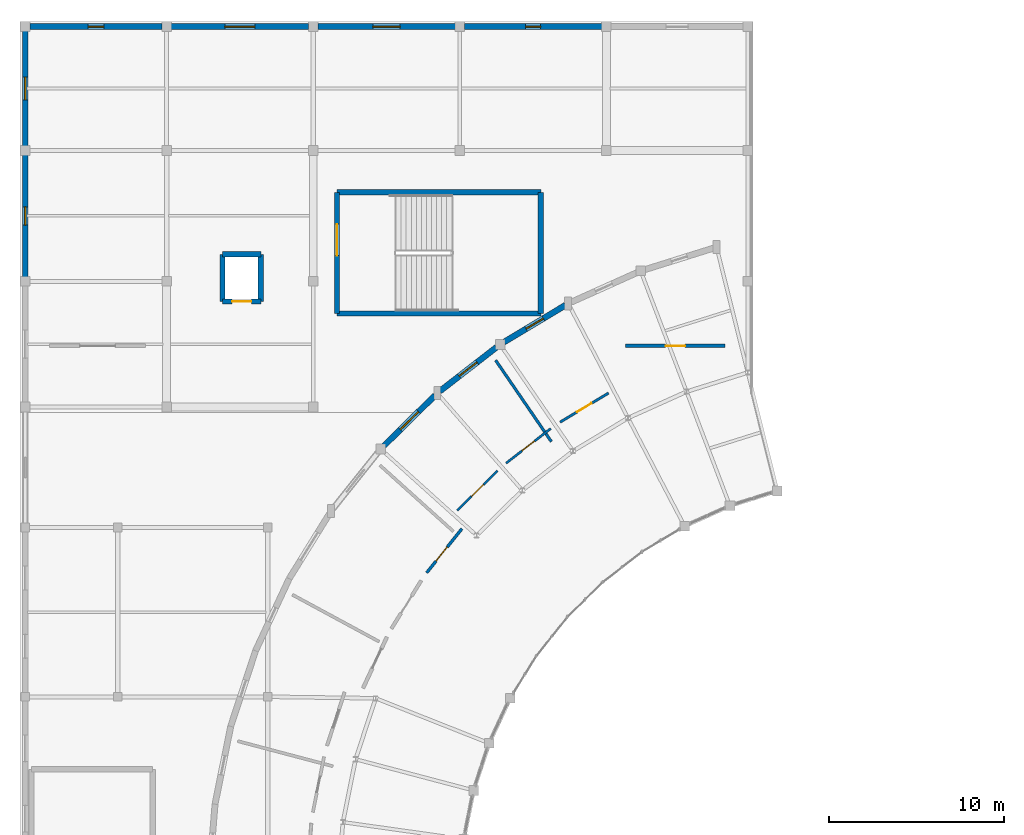
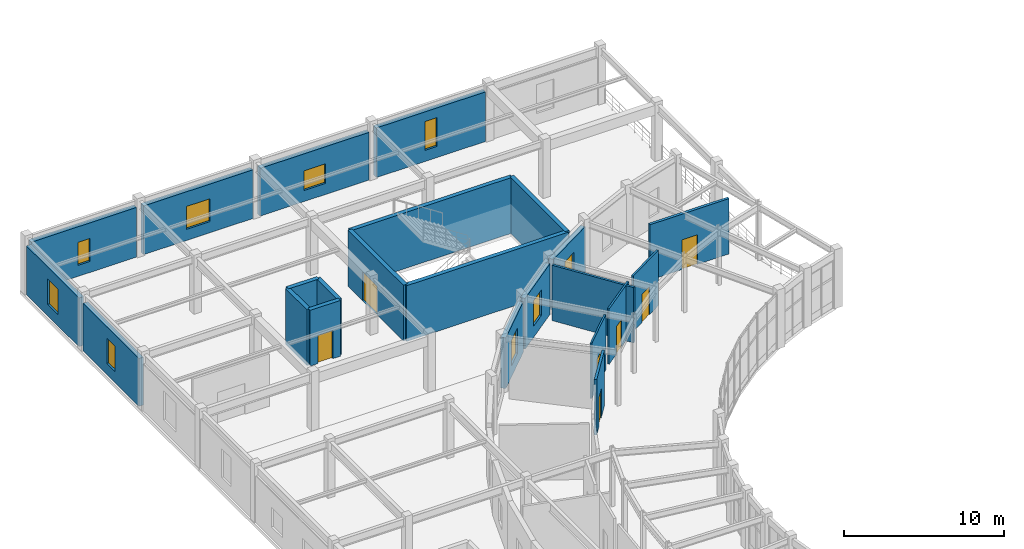
# One storey, part 87 of 112: 23 walls, 9 windows, 7 doors, 16 openings.
"""IFC4 building model written with IfcOpenShell, lengths in metres."""

from ifc_helpers import new_model, si_unit, direction, frame, frame_2d, origin, place, context, subcontext, project, spatial, rectangle, extrude, material, layer, layer_set, type_object, element, fill, save


model = new_model("IFC4")

# Units and contexts
model_context = context("Model", 3, precision=1e-05, world=origin(), true_north=direction((0.0, 1.0)))
body_context = subcontext(model_context, "Body", "Model", "MODEL_VIEW")
ifc_project = project(units=[si_unit("LENGTHUNIT", "METRE"), si_unit("AREAUNIT", "SQUARE_METRE"), si_unit("VOLUMEUNIT", "CUBIC_METRE"), si_unit("PLANEANGLEUNIT", "RADIAN"), si_unit("MASSUNIT", "GRAM", prefix="KILO")], contexts=[model_context])

# Site, building, storey
site_placement = place(None, origin())
site = spatial("IfcSite", under=ifc_project, at=site_placement, CompositionType="ELEMENT")
building_placement = place(site_placement, origin())
building = spatial("IfcBuilding", under=site, at=building_placement, Name="Cinderbank Siding Concert Hall", CompositionType="ELEMENT")
storey_placement = place(building_placement, frame((0.0, 0.0, 10.199951171875)))
storey = spatial("IfcBuildingStorey", under=building, at=storey_placement, Name="L03", CompositionType="ELEMENT", Elevation=10.199951171875)

# Wall, opening, door
ifc_material_1 = material(Name="Reinforced concrete AS 3600 N50 (50 MPa)", Category="concrete")
ifc_layer_1 = layer(ifc_material_1, 0.300048828125)
ifc_layer_set_1 = layer_set([ifc_layer_1], Name="Reinforced concrete AS 3600 N50 (50 MPa)")
wall_type_1 = type_object("IfcWallType", Name="WL-03 Structural Wall 300mm", PredefinedType="SHEAR", material=ifc_layer_set_1)
wall_1_placement = place(storey_placement, frame((24.9599609375, 101.4599609375, 0.0), z_axis=(0.0, 0.0, 1.0), x_axis=(0.0, 1.0, 0.0)))
wall_1 = element("IfcWall", 1, at=wall_1_placement, inside=storey, type_object=wall_type_1, Name="L03 ST-05 Core Wall ENTRY", PredefinedType="SHEAR", context=body_context, shape_type="SweptSolid", body=[
    extrude(rectangle(XDim=6.93994140625, YDim=0.300048828125, at=frame_2d((3.469970703125, 0.0))), origin(), (0.0, 0.0, 1.0), 4.260009765625),
])
opening_1_placement = place(wall_1_placement, frame((3.320068359375, 0.0, 0.0)))
opening_1 = element("IfcOpeningElement", 2, at=opening_1_placement, cuts=wall_1, Name="Opening D-05", PredefinedType="OPENING", context=body_context, shape_type="SweptSolid", body=[
    extrude(rectangle(XDim=1.800048828125, YDim=2.199951171875, at=frame_2d((0.89990234375, 1.10009765625))), frame((0.0, 0.162109375, 0.0), z_axis=(0.0, -1.0, 0.0), x_axis=(1.0, 0.0, 0.0)), (0.0, 0.0, 1.0), 0.323974609375),
])
ifc_material_2 = material(Name="Galvanised sheet steel acoustic fire door assembly", Category="steel")
door_type_1 = type_object("IfcDoorType", Name="D-05 Interior Door 1800x2200", OperationType="DOUBLE_DOOR_SINGLE_SWING", PredefinedType="DOOR", material=ifc_material_2)
door_1_placement = place(opening_1_placement, origin())
door_1 = element("IfcDoor", 3, at=door_1_placement, inside=storey, type_object=door_type_1, Name="L03 ST-05 Fire Stair Door L03-D032", OperationType="DOUBLE_DOOR_SINGLE_SWING", OverallHeight=2.199951171875, OverallWidth=1.800048828125, PredefinedType="DOOR", context=body_context, shape_type="SweptSolid", body=[
    extrude(rectangle(XDim=1.800048828125, YDim=2.199951171875, at=frame_2d((0.89990234375, 1.10009765625))), frame((0.0, 0.02490234375, 0.0), z_axis=(0.0, -1.0, 0.0), x_axis=(1.0, 0.0, 0.0)), (0.0, 0.0, 1.0), 0.050048828125),
])
fill(opening_1, door_1)

# Walls
wall_2_placement = place(storey_placement, frame((36.639892578125, 108.39990234375, 0.0), z_axis=(0.0, 0.0, 1.0), x_axis=(0.0, -1.0, 0.0)))
element("IfcWall", 4, at=wall_2_placement, inside=storey, type_object=wall_type_1, Name="L03 ST-05 Core Wall FAR", PredefinedType="SHEAR", context=body_context, shape_type="SweptSolid", body=[
    extrude(rectangle(XDim=6.93994140625, YDim=0.300048828125, at=frame_2d((3.469970703125, 0.0))), origin(), (0.0, 0.0, 1.0), 4.260009765625),
])
for number, where, z_axis, x_axis, name in (
    (5, (36.639892578125, 101.4599609375, 0.0), (0.0, 0.0, 1.0), (-1.0, 0.0, 0.0), "L03 ST-05 Core Wall SIDE1"),
    (6, (24.9599609375, 108.39990234375, 0.0), (0.0, 0.0, 1.0), (1.0, 0.0, 0.0), "L03 ST-05 Core Wall SIDE2"),
):
    element("IfcWall", number, at=place(storey_placement, frame(where, z_axis=z_axis, x_axis=x_axis)), inside=storey, type_object=wall_type_1, Name=name, PredefinedType="SHEAR", context=body_context, shape_type="SweptSolid", body=[
        extrude(rectangle(XDim=11.679931640625, YDim=0.300048828125, at=frame_2d((5.83984375, 0.0))), origin(), (0.0, 0.0, 1.0), 4.260009765625),
    ])

# Wall, opening, door
wall_3_placement = place(storey_placement, frame((20.60009765625, 102.14990234375, 0.0), z_axis=(0.0, 0.0, 1.0), x_axis=(-1.0, 0.0, 0.0)))
wall_3 = element("IfcWall", 7, at=wall_3_placement, inside=storey, type_object=wall_type_1, Name="L03 LF-06 Shaft Wall -Y", PredefinedType="SHEAR", context=body_context, shape_type="SweptSolid", body=[
    extrude(rectangle(XDim=2.2001953125, YDim=0.300048828125, at=frame_2d((1.10009765625, 0.0))), origin(), (0.0, 0.0, 1.0), 4.260009765625),
])
opening_2_placement = place(wall_3_placement, frame((0.550048828125, 0.0, 0.0)))
opening_2 = element("IfcOpeningElement", 8, at=opening_2_placement, cuts=wall_3, Name="Opening LD-01", PredefinedType="OPENING", context=body_context, shape_type="SweptSolid", body=[
    extrude(rectangle(XDim=1.10009765625, YDim=2.14990234375, at=frame_2d((0.550048828125, 1.074951171875))), frame((0.0, 0.162109375, 0.0), z_axis=(0.0, -1.0, 0.0), x_axis=(1.0, 0.0, 0.0)), (0.0, 0.0, 1.0), 0.323974609375),
])
door_type_2 = type_object("IfcDoorType", Name="LD-01 Interior Door 1100x2150", OperationType="DOUBLE_DOOR_SLIDING", PredefinedType="DOOR", material=ifc_material_2)
door_2_placement = place(opening_2_placement, origin())
door_2 = element("IfcDoor", 9, at=door_2_placement, inside=storey, type_object=door_type_2, Name="L03 LF-06 Sliding Landing Door", OperationType="DOUBLE_DOOR_SLIDING", OverallHeight=2.14990234375, OverallWidth=1.10009765625, PredefinedType="DOOR", context=body_context, shape_type="SweptSolid", body=[
    extrude(rectangle(XDim=1.10009765625, YDim=2.14990234375, at=frame_2d((0.550048828125, 1.074951171875))), frame((0.0, 0.02490234375, 0.0), z_axis=(0.0, -1.0, 0.0), x_axis=(1.0, 0.0, 0.0)), (0.0, 0.0, 1.0), 0.050048828125),
])
fill(opening_2, door_2)

# Walls
wall_4_placement = place(storey_placement, frame((20.60009765625, 104.85009765625, 0.0), z_axis=(0.0, 0.0, 1.0), x_axis=(0.0, -1.0, 0.0)))
element("IfcWall", 10, at=wall_4_placement, inside=storey, type_object=wall_type_1, Name="L03 LF-06 Shaft Wall +X", PredefinedType="SHEAR", context=body_context, shape_type="SweptSolid", body=[
    extrude(rectangle(XDim=2.7001953125, YDim=0.300048828125, at=frame_2d((1.35009765625, 0.0))), origin(), (0.0, 0.0, 1.0), 4.260009765625),
])
wall_5_placement = place(storey_placement, frame((18.39990234375, 104.85009765625, 0.0), z_axis=(0.0, 0.0, 1.0), x_axis=(1.0, 0.0, 0.0)))
element("IfcWall", 11, at=wall_5_placement, inside=storey, type_object=wall_type_1, Name="L03 LF-06 Shaft Wall +Y", PredefinedType="SHEAR", context=body_context, shape_type="SweptSolid", body=[
    extrude(rectangle(XDim=2.2001953125, YDim=0.300048828125, at=frame_2d((1.10009765625, 0.0))), origin(), (0.0, 0.0, 1.0), 4.260009765625),
])
wall_6_placement = place(storey_placement, frame((18.39990234375, 102.14990234375, 0.0), z_axis=(0.0, 0.0, 1.0), x_axis=(0.0, 1.0, 0.0)))
element("IfcWall", 12, at=wall_6_placement, inside=storey, type_object=wall_type_1, Name="L03 LF-06 Shaft Wall -X", PredefinedType="SHEAR", context=body_context, shape_type="SweptSolid", body=[
    extrude(rectangle(XDim=2.7001953125, YDim=0.300048828125, at=frame_2d((1.35009765625, 0.0))), origin(), (0.0, 0.0, 1.0), 4.260009765625),
])

# Wall, opening, window
ifc_material_3 = material(Name="Clinker clay brickwork masonry AS 3700 (20 MPa)", Category="masonry")
ifc_layer_2 = layer(ifc_material_3, 0.340087890625)
ifc_layer_set_2 = layer_set([ifc_layer_2], Name="Clinker clay brickwork masonry AS 3700 (20 MPa)")
wall_type_2 = type_object("IfcWallType", Name="WL-07 Exterior Wall 340mm", PredefinedType="STANDARD", material=ifc_layer_set_2)
wall_7_placement = place(storey_placement, frame((34.5283203125, 99.818359375, 0.0), z_axis=(0.0, 0.0, 1.0), x_axis=(0.85717299245, 0.515028602131, 0.0)))
wall_7 = element("IfcWall", 13, at=wall_7_placement, inside=storey, type_object=wall_type_2, Name="L03 Facade Wall EW-WOUT-L03-03", PredefinedType="STANDARD", context=body_context, shape_type="SweptSolid", body=[
    extrude(rectangle(XDim=4.109375, YDim=0.340087890625, at=frame_2d((2.0546875, 0.0))), origin(), (0.0, 0.0, 1.0), 3.876953125),
])
opening_3_placement = place(wall_7_placement, frame((1.479736328125, 0.0, 0.85009765625)))
opening_3 = element("IfcOpeningElement", 14, at=opening_3_placement, cuts=wall_7, Name="Opening WN-12", PredefinedType="OPENING", context=body_context, shape_type="SweptSolid", body=[
    extrude(rectangle(XDim=1.14990234375, YDim=1.949951171875, at=frame_2d((0.574951171875, 0.97509765625))), frame((0.0, 0.18212890625, 0.0), z_axis=(0.0, -1.0, 0.0), x_axis=(1.0, 0.0, 0.0)), (0.0, 0.0, 1.0), 0.364013671875),
])
ifc_material_4 = material(Name="Double-glazed laminated acoustic glass", Category="glass")
window_type_1 = type_object("IfcWindowType", Name="WN-12 Acoustic Casement Window 1150x1950", PartitioningType="DOUBLE_PANEL_VERTICAL", PredefinedType="WINDOW", material=ifc_material_4)
window_1_placement = place(opening_3_placement, origin())
window_1 = element("IfcWindow", 15, at=window_1_placement, inside=storey, type_object=window_type_1, Name="L03 Facade Window #28", OverallHeight=1.949951171875, OverallWidth=1.14990234375, PartitioningType="DOUBLE_PANEL_VERTICAL", PredefinedType="WINDOW", context=body_context, shape_type="SweptSolid", body=[
    extrude(rectangle(XDim=1.14990234375, YDim=1.949951171875, at=frame_2d((0.574951171875, 0.97509765625))), frame((0.0, 0.030029296875, 0.0), z_axis=(0.0, -1.0, 0.0), x_axis=(1.0, 0.0, 0.0)), (0.0, 0.0, 1.0), 0.06005859375),
])
fill(opening_3, window_1)

wall_8_placement = place(storey_placement, frame((34.099853515625, 99.52490234375, 0.0), z_axis=(0.0, 0.0, 1.0), x_axis=(-0.790164022378, -0.612895437852, 0.0)))
wall_8 = element("IfcWall", 16, at=wall_8_placement, inside=storey, type_object=wall_type_2, Name="L03 Facade Wall EW-WOUT-L03-04", PredefinedType="STANDARD", context=body_context, shape_type="SweptSolid", body=[
    extrude(rectangle(XDim=4.109619140625, YDim=0.340087890625, at=frame_2d((2.0546875, 0.0))), origin(), (0.0, 0.0, 1.0), 3.876953125),
])
opening_4_placement = place(wall_8_placement, frame((1.40478515625, 0.0, 0.85009765625)))
opening_4 = element("IfcOpeningElement", 17, at=opening_4_placement, cuts=wall_8, Name="Opening WN-13", PredefinedType="OPENING", context=body_context, shape_type="SweptSolid", body=[
    extrude(rectangle(XDim=1.300048828125, YDim=1.949951171875, at=frame_2d((0.64990234375, 0.97509765625))), frame((0.0, 0.18212890625, 0.0), z_axis=(0.0, -1.0, 0.0), x_axis=(1.0, 0.0, 0.0)), (0.0, 0.0, 1.0), 0.364013671875),
])
window_type_2 = type_object("IfcWindowType", Name="WN-13 Acoustic Casement Window 1300x1950", PartitioningType="DOUBLE_PANEL_VERTICAL", PredefinedType="WINDOW", material=ifc_material_4)
window_2_placement = place(opening_4_placement, origin())
window_2 = element("IfcWindow", 18, at=window_2_placement, inside=storey, type_object=window_type_2, Name="L03 Facade Window #29", OverallHeight=1.949951171875, OverallWidth=1.300048828125, PartitioningType="DOUBLE_PANEL_VERTICAL", PredefinedType="WINDOW", context=body_context, shape_type="SweptSolid", body=[
    extrude(rectangle(XDim=1.300048828125, YDim=1.949951171875, at=frame_2d((0.64990234375, 0.97509765625))), frame((0.0, 0.030029296875, 0.0), z_axis=(0.0, -1.0, 0.0), x_axis=(1.0, 0.0, 0.0)), (0.0, 0.0, 1.0), 0.06005859375),
])
fill(opening_4, window_2)

wall_9_placement = place(storey_placement, frame((30.57470703125, 96.7626953125, 0.0), z_axis=(0.0, 0.0, 1.0), x_axis=(-0.712079133949, -0.702099214495, 0.0)))
wall_9 = element("IfcWall", 19, at=wall_9_placement, inside=storey, type_object=wall_type_2, Name="L03 Facade Wall EW-WOUT-L03-05", PredefinedType="STANDARD", context=body_context, shape_type="SweptSolid", body=[
    extrude(rectangle(XDim=4.10986328125, YDim=0.340087890625, at=frame_2d((2.054931640625, 0.0))), origin(), (0.0, 0.0, 1.0), 3.876953125),
])
opening_5_placement = place(wall_9_placement, frame((1.329833984375, 0.0, 0.85009765625)))
opening_5 = element("IfcOpeningElement", 20, at=opening_5_placement, cuts=wall_9, Name="Opening WN-14", PredefinedType="OPENING", context=body_context, shape_type="SweptSolid", body=[
    extrude(rectangle(XDim=1.449951171875, YDim=1.949951171875, at=frame_2d((0.72509765625, 0.97509765625))), frame((0.0, 0.18212890625, 0.0), z_axis=(0.0, -1.0, 0.0), x_axis=(1.0, 0.0, 0.0)), (0.0, 0.0, 1.0), 0.364013671875),
])
window_type_3 = type_object("IfcWindowType", Name="WN-14 Acoustic Casement Window 1450x1950", PartitioningType="DOUBLE_PANEL_VERTICAL", PredefinedType="WINDOW", material=ifc_material_4)
window_3_placement = place(opening_5_placement, origin())
window_3 = element("IfcWindow", 21, at=window_3_placement, inside=storey, type_object=window_type_3, Name="L03 Facade Window #30", OverallHeight=1.949951171875, OverallWidth=1.449951171875, PartitioningType="DOUBLE_PANEL_VERTICAL", PredefinedType="WINDOW", context=body_context, shape_type="SweptSolid", body=[
    extrude(rectangle(XDim=1.449951171875, YDim=1.949951171875, at=frame_2d((0.72509765625, 0.97509765625))), frame((0.0, 0.030029296875, 0.0), z_axis=(0.0, -1.0, 0.0), x_axis=(1.0, 0.0, 0.0)), (0.0, 0.0, 1.0), 0.06005859375),
])
fill(opening_5, window_3)

wall_10_placement = place(storey_placement, frame((7.10009765625, 103.56005859375, 0.0), z_axis=(0.0, 0.0, 1.0), x_axis=(0.0, 1.0, 0.0)))
wall_10 = element("IfcWall", 22, at=wall_10_placement, inside=storey, type_object=wall_type_2, Name="L03 Facade Wall EW-NW-W2-L03", PredefinedType="STANDARD", context=body_context, shape_type="SweptSolid", body=[
    extrude(rectangle(XDim=6.97998046875, YDim=0.340087890625, at=frame_2d((3.489990234375, 0.0))), origin(), (0.0, 0.0, 1.0), 3.644775390625),
])
opening_6_placement = place(wall_10_placement, frame((2.965087890625, 0.0, 0.85009765625)))
opening_6 = element("IfcOpeningElement", 23, at=opening_6_placement, cuts=wall_10, Name="Opening WN-11", PredefinedType="OPENING", context=body_context, shape_type="SweptSolid", body=[
    extrude(rectangle(XDim=1.050048828125, YDim=1.949951171875, at=frame_2d((0.52490234375, 0.97509765625))), frame((0.0, 0.18212890625, 0.0), z_axis=(0.0, -1.0, 0.0), x_axis=(1.0, 0.0, 0.0)), (0.0, 0.0, 1.0), 0.364013671875),
])
window_type_4 = type_object("IfcWindowType", Name="WN-11 Acoustic Casement Window 1050x1950", PartitioningType="DOUBLE_PANEL_VERTICAL", PredefinedType="WINDOW", material=ifc_material_4)
window_4_placement = place(opening_6_placement, origin())
window_4 = element("IfcWindow", 24, at=window_4_placement, inside=storey, type_object=window_type_4, Name="L03 Facade Window #119", OverallHeight=1.949951171875, OverallWidth=1.050048828125, PartitioningType="DOUBLE_PANEL_VERTICAL", PredefinedType="WINDOW", context=body_context, shape_type="SweptSolid", body=[
    extrude(rectangle(XDim=1.050048828125, YDim=1.949951171875, at=frame_2d((0.52490234375, 0.97509765625))), frame((0.0, 0.030029296875, 0.0), z_axis=(0.0, -1.0, 0.0), x_axis=(1.0, 0.0, 0.0)), (0.0, 0.0, 1.0), 0.06005859375),
])
fill(opening_6, window_4)

wall_11_placement = place(storey_placement, frame((7.10009765625, 111.06005859375, 0.0), z_axis=(0.0, 0.0, 1.0), x_axis=(0.0, 1.0, 0.0)))
wall_11 = element("IfcWall", 25, at=wall_11_placement, inside=storey, type_object=wall_type_2, Name="L03 Facade Wall EW-NW-W3-L03", PredefinedType="STANDARD", context=body_context, shape_type="SweptSolid", body=[
    extrude(rectangle(XDim=6.579833984375, YDim=0.340087890625, at=frame_2d((3.2900390625, 0.0))), origin(), (0.0, 0.0, 1.0), 3.71875),
])
opening_7_placement = place(wall_11_placement, frame((2.639892578125, 0.0, 0.85009765625)))
opening_7 = element("IfcOpeningElement", 26, at=opening_7_placement, cuts=wall_11, Name="Opening WN-13", PredefinedType="OPENING", context=body_context, shape_type="SweptSolid", body=[
    extrude(rectangle(XDim=1.300048828125, YDim=1.949951171875, at=frame_2d((0.64990234375, 0.97509765625))), frame((0.0, 0.18212890625, 0.0), z_axis=(0.0, -1.0, 0.0), x_axis=(1.0, 0.0, 0.0)), (0.0, 0.0, 1.0), 0.364013671875),
])
window_5_placement = place(opening_7_placement, origin())
window_5 = element("IfcWindow", 27, at=window_5_placement, inside=storey, type_object=window_type_2, Name="L03 Facade Window #121", OverallHeight=1.949951171875, OverallWidth=1.300048828125, PartitioningType="DOUBLE_PANEL_VERTICAL", PredefinedType="WINDOW", context=body_context, shape_type="SweptSolid", body=[
    extrude(rectangle(XDim=1.300048828125, YDim=1.949951171875, at=frame_2d((0.64990234375, 0.97509765625))), frame((0.0, 0.030029296875, 0.0), z_axis=(0.0, -1.0, 0.0), x_axis=(1.0, 0.0, 0.0)), (0.0, 0.0, 1.0), 0.06005859375),
])
fill(opening_7, window_5)

wall_12_placement = place(storey_placement, frame((7.360107421875, 117.89990234375, 0.0), z_axis=(0.0, 0.0, 1.0), x_axis=(1.0, 0.0, 0.0)))
wall_12 = element("IfcWall", 28, at=wall_12_placement, inside=storey, type_object=wall_type_2, Name="L03 Facade Wall EW-NW-N0-L03", PredefinedType="STANDARD", context=body_context, shape_type="SweptSolid", body=[
    extrude(rectangle(XDim=7.579833984375, YDim=0.340087890625, at=frame_2d((3.7900390625, 0.0))), origin(), (0.0, 0.0, 1.0), 3.78955078125),
])
opening_8_placement = place(wall_12_placement, frame((3.340087890625, 0.0, 0.85009765625)))
opening_8 = element("IfcOpeningElement", 29, at=opening_8_placement, cuts=wall_12, Name="Opening WN-17", PredefinedType="OPENING", context=body_context, shape_type="SweptSolid", body=[
    extrude(rectangle(XDim=0.89990234375, YDim=1.75, at=frame_2d((0.449951171875, 0.875))), frame((0.0, 0.18212890625, 0.0), z_axis=(0.0, -1.0, 0.0), x_axis=(1.0, 0.0, 0.0)), (0.0, 0.0, 1.0), 0.364013671875),
])
window_type_5 = type_object("IfcWindowType", Name="WN-17 Acoustic Casement Window 900x1750", PartitioningType="DOUBLE_PANEL_VERTICAL", PredefinedType="WINDOW", material=ifc_material_4)
window_6_placement = place(opening_8_placement, origin())
window_6 = element("IfcWindow", 30, at=window_6_placement, inside=storey, type_object=window_type_5, Name="L03 Facade Window #125", OverallHeight=1.75, OverallWidth=0.89990234375, PartitioningType="DOUBLE_PANEL_VERTICAL", PredefinedType="WINDOW", context=body_context, shape_type="SweptSolid", body=[
    extrude(rectangle(XDim=0.89990234375, YDim=1.75, at=frame_2d((0.449951171875, 0.875))), frame((0.0, 0.030029296875, 0.0), z_axis=(0.0, -1.0, 0.0), x_axis=(1.0, 0.0, 0.0)), (0.0, 0.0, 1.0), 0.06005859375),
])
fill(opening_8, window_6)

wall_13_placement = place(storey_placement, frame((15.4599609375, 117.89990234375, 0.0), z_axis=(0.0, 0.0, 1.0), x_axis=(1.0, 0.0, 0.0)))
wall_13 = element("IfcWall", 31, at=wall_13_placement, inside=storey, type_object=wall_type_2, Name="L03 Facade Wall EW-NW-N1-L03", PredefinedType="STANDARD", context=body_context, shape_type="SweptSolid", body=[
    extrude(rectangle(XDim=7.880126953125, YDim=0.340087890625, at=frame_2d((3.93994140625, 0.0))), origin(), (0.0, 0.0, 1.0), 3.71875),
])
opening_9_placement = place(wall_13_placement, frame((3.080078125, 0.0, 0.85009765625)))
opening_9 = element("IfcOpeningElement", 32, at=opening_9_placement, cuts=wall_13, Name="Opening WN-23", PredefinedType="OPENING", context=body_context, shape_type="SweptSolid", body=[
    extrude(rectangle(XDim=1.719970703125, YDim=1.75, at=frame_2d((0.85986328125, 0.875))), frame((0.0, 0.18212890625, 0.0), z_axis=(0.0, -1.0, 0.0), x_axis=(1.0, 0.0, 0.0)), (0.0, 0.0, 1.0), 0.364013671875),
])
window_type_6 = type_object("IfcWindowType", Name="WN-23 Acoustic Casement Window 1720x1750", PartitioningType="DOUBLE_PANEL_VERTICAL", PredefinedType="WINDOW", material=ifc_material_4)
window_7_placement = place(opening_9_placement, origin())
window_7 = element("IfcWindow", 33, at=window_7_placement, inside=storey, type_object=window_type_6, Name="L03 Facade Window #131", OverallHeight=1.75, OverallWidth=1.719970703125, PartitioningType="DOUBLE_PANEL_VERTICAL", PredefinedType="WINDOW", context=body_context, shape_type="SweptSolid", body=[
    extrude(rectangle(XDim=1.719970703125, YDim=1.75, at=frame_2d((0.85986328125, 0.875))), frame((0.0, 0.030029296875, 0.0), z_axis=(0.0, -1.0, 0.0), x_axis=(1.0, 0.0, 0.0)), (0.0, 0.0, 1.0), 0.06005859375),
])
fill(opening_9, window_7)

wall_14_placement = place(storey_placement, frame((23.860107421875, 117.89990234375, 0.0), z_axis=(0.0, 0.0, 1.0), x_axis=(1.0, 0.0, 0.0)))
wall_14 = element("IfcWall", 34, at=wall_14_placement, inside=storey, type_object=wall_type_2, Name="L03 Facade Wall EW-NW-N1B-L03", PredefinedType="STANDARD", context=body_context, shape_type="SweptSolid", body=[
    extrude(rectangle(XDim=7.8798828125, YDim=0.340087890625, at=frame_2d((3.93994140625, 0.0))), origin(), (0.0, 0.0, 1.0), 3.644775390625),
])
opening_10_placement = place(wall_14_placement, frame((3.1650390625, 0.0, 0.85009765625)))
opening_10 = element("IfcOpeningElement", 35, at=opening_10_placement, cuts=wall_14, Name="Opening WN-29", PredefinedType="OPENING", context=body_context, shape_type="SweptSolid", body=[
    extrude(rectangle(XDim=1.550048828125, YDim=1.5, at=frame_2d((0.77490234375, 0.75))), frame((0.0, 0.18212890625, 0.0), z_axis=(0.0, -1.0, 0.0), x_axis=(1.0, 0.0, 0.0)), (0.0, 0.0, 1.0), 0.364013671875),
])
window_type_7 = type_object("IfcWindowType", Name="WN-29 Acoustic Casement Window 1550x1500", PartitioningType="DOUBLE_PANEL_VERTICAL", PredefinedType="WINDOW", material=ifc_material_4)
window_8_placement = place(opening_10_placement, origin())
window_8 = element("IfcWindow", 36, at=window_8_placement, inside=storey, type_object=window_type_7, Name="L03 Facade Window #136", OverallHeight=1.5, OverallWidth=1.550048828125, PartitioningType="DOUBLE_PANEL_VERTICAL", PredefinedType="WINDOW", context=body_context, shape_type="SweptSolid", body=[
    extrude(rectangle(XDim=1.550048828125, YDim=1.5, at=frame_2d((0.77490234375, 0.75))), frame((0.0, 0.030029296875, 0.0), z_axis=(0.0, -1.0, 0.0), x_axis=(1.0, 0.0, 0.0)), (0.0, 0.0, 1.0), 0.06005859375),
])
fill(opening_10, window_8)

wall_15_placement = place(storey_placement, frame((32.260009765625, 117.89990234375, 0.0), z_axis=(0.0, 0.0, 1.0), x_axis=(1.0, 0.0, 0.0)))
wall_15 = element("IfcWall", 37, at=wall_15_placement, inside=storey, type_object=wall_type_2, Name="L03 Facade Wall EW-NW-N2-L03", PredefinedType="STANDARD", context=body_context, shape_type="SweptSolid", body=[
    extrude(rectangle(XDim=7.8798828125, YDim=0.340087890625, at=frame_2d((3.93994140625, 0.0))), origin(), (0.0, 0.0, 1.0), 3.78955078125),
])
opening_11_placement = place(wall_15_placement, frame((3.514892578125, 0.0, 0.85009765625)))
opening_11 = element("IfcOpeningElement", 38, at=opening_11_placement, cuts=wall_15, Name="Opening WN-01", PredefinedType="OPENING", context=body_context, shape_type="SweptSolid", body=[
    extrude(rectangle(XDim=0.85009765625, YDim=2.199951171875, at=frame_2d((0.425048828125, 1.10009765625))), frame((0.0, 0.18212890625, 0.0), z_axis=(0.0, -1.0, 0.0), x_axis=(1.0, 0.0, 0.0)), (0.0, 0.0, 1.0), 0.364013671875),
])
window_type_8 = type_object("IfcWindowType", Name="WN-01 Acoustic Casement Window 850x2200", PartitioningType="DOUBLE_PANEL_VERTICAL", PredefinedType="WINDOW", material=ifc_material_4)
window_9_placement = place(opening_11_placement, origin())
window_9 = element("IfcWindow", 39, at=window_9_placement, inside=storey, type_object=window_type_8, Name="L03 Facade Window #139", OverallHeight=2.199951171875, OverallWidth=0.85009765625, PartitioningType="DOUBLE_PANEL_VERTICAL", PredefinedType="WINDOW", context=body_context, shape_type="SweptSolid", body=[
    extrude(rectangle(XDim=0.85009765625, YDim=2.199951171875, at=frame_2d((0.425048828125, 1.10009765625))), frame((0.0, 0.030029296875, 0.0), z_axis=(0.0, -1.0, 0.0), x_axis=(1.0, 0.0, 0.0)), (0.0, 0.0, 1.0), 0.06005859375),
])
fill(opening_11, window_9)

# Wall, opening, door
ifc_material_5 = material(Name="Acoustic plasterboard on light-gauge steel studs", Category="gypsum")
ifc_layer_3 = layer(ifc_material_5, 0.199951171875)
ifc_layer_set_3 = layer_set([ifc_layer_3], Name="Acoustic plasterboard on light-gauge steel studs")
wall_type_3 = type_object("IfcWallType", Name="WL-12 Interior Wall 200mm", PredefinedType="PARTITIONING", material=ifc_layer_set_3)
wall_16_placement = place(storey_placement, frame((41.5, 99.60009765625, 0.0), z_axis=(0.0, 0.0, 1.0), x_axis=(1.0, 0.0, 0.0)))
wall_16 = element("IfcWall", 40, at=wall_16_placement, inside=storey, type_object=wall_type_3, Name="L03 Partition Notation Reading Room", PredefinedType="PARTITIONING", context=body_context, shape_type="SweptSolid", body=[
    extrude(rectangle(XDim=5.699951171875, YDim=0.199951171875, at=frame_2d((2.85009765625, 0.0))), origin(), (0.0, 0.0, 1.0), 4.22509765625),
])
opening_12_placement = place(wall_16_placement, frame((2.2900390625, 0.0, 0.0)))
opening_12 = element("IfcOpeningElement", 41, at=opening_12_placement, cuts=wall_16, Name="Opening D-19", PredefinedType="OPENING", context=body_context, shape_type="SweptSolid", body=[
    extrude(rectangle(XDim=1.1201171875, YDim=2.260009765625, at=frame_2d((0.56005859375, 1.1298828125))), frame((0.0, 0.11181640625, 0.0), z_axis=(0.0, -1.0, 0.0), x_axis=(1.0, 0.0, 0.0)), (0.0, 0.0, 1.0), 0.223876953125),
])
ifc_material_6 = material(Name="Solid-core spotted gum acoustic timber", Category="wood")
door_type_3 = type_object("IfcDoorType", Name="D-19 Interior Door 1120x2260", OperationType="NOTDEFINED", PredefinedType="DOOR", material=ifc_material_6)
door_3_placement = place(opening_12_placement, origin())
door_3 = element("IfcDoor", 42, at=door_3_placement, inside=storey, type_object=door_type_3, Name="L03 Notation Reading Room Door L03-D270", OperationType="SINGLE_SWING_LEFT", OverallHeight=2.260009765625, OverallWidth=1.1201171875, PredefinedType="DOOR", context=body_context, shape_type="SweptSolid", body=[
    extrude(rectangle(XDim=1.1201171875, YDim=2.260009765625, at=frame_2d((0.56005859375, 1.1298828125))), frame((0.0, 0.02490234375, 0.0), z_axis=(0.0, -1.0, 0.0), x_axis=(1.0, 0.0, 0.0)), (0.0, 0.0, 1.0), 0.050048828125),
])
fill(opening_12, door_3)

# Wall
ifc_layer_4 = layer(ifc_material_5, 0.159912109375)
ifc_layer_set_4 = layer_set([ifc_layer_4], Name="Acoustic plasterboard on light-gauge steel studs")
wall_type_4 = type_object("IfcWallType", Name="WL-14 Interior Wall 160mm", PredefinedType="PARTITIONING", material=ifc_layer_set_4)
wall_17_placement = place(storey_placement, frame((37.2421875, 94.12060546875, 0.0), z_axis=(0.0, 0.0, 1.0), x_axis=(-0.5649286392, 0.825139765501, 0.0)))
element("IfcWall", 43, at=wall_17_placement, inside=storey, type_object=wall_type_4, Name="L03 Radial Studio Demising Wall W04", PredefinedType="PARTITIONING", context=body_context, shape_type="SweptSolid", body=[
    extrude(rectangle(XDim=5.650146484375, YDim=0.159912109375, at=frame_2d((2.8251953125, 0.0))), origin(), (0.0, 0.0, 1.0), 4.22509765625),
])

# Wall, opening, door
ifc_layer_5 = layer(ifc_material_5, 0.139892578125)
ifc_layer_set_5 = layer_set([ifc_layer_5], Name="Acoustic plasterboard on light-gauge steel studs")
wall_type_5 = type_object("IfcWallType", Name="WL-16 Interior Wall 140mm", PredefinedType="PARTITIONING", material=ifc_layer_set_5)
wall_18_placement = place(storey_placement, frame((40.522216796875, 96.90185546875, 0.0), z_axis=(0.0, 0.0, 1.0), x_axis=(-0.857160006547, -0.515050214229, 0.0)))
wall_18 = element("IfcWall", 44, at=wall_18_placement, inside=storey, type_object=wall_type_5, Name="L03 Partition Studio Bay W03", PredefinedType="PARTITIONING", context=body_context, shape_type="SweptSolid", body=[
    extrude(rectangle(XDim=3.237060546875, YDim=0.139892578125, at=frame_2d((1.61865234375, 0.0))), origin(), (0.0, 0.0, 1.0), 4.22509765625),
])
opening_13_placement = place(wall_18_placement, frame((1.12841796875, 0.0, 0.0)))
opening_13 = element("IfcOpeningElement", 45, at=opening_13_placement, cuts=wall_18, Name="Opening D-10", PredefinedType="OPENING", context=body_context, shape_type="SweptSolid", body=[
    extrude(rectangle(XDim=0.97998046875, YDim=2.14990234375, at=frame_2d((0.489990234375, 1.074951171875))), frame((0.0, 0.08203125, 0.0), z_axis=(0.0, -1.0, 0.0), x_axis=(1.0, 0.0, 0.0)), (0.0, 0.0, 1.0), 0.163818359375),
])
door_type_4 = type_object("IfcDoorType", Name="D-10 Interior Door 980x2150", OperationType="NOTDEFINED", PredefinedType="DOOR", material=ifc_material_6)
door_4_placement = place(opening_13_placement, origin())
door_4 = element("IfcDoor", 46, at=door_4_placement, inside=storey, type_object=door_type_4, Name="L03 Studio Bay W03 Door L03-D211", OperationType="SINGLE_SWING_RIGHT", OverallHeight=2.14990234375, OverallWidth=0.97998046875, PredefinedType="DOOR", context=body_context, shape_type="SweptSolid", body=[
    extrude(rectangle(XDim=0.97998046875, YDim=2.14990234375, at=frame_2d((0.489990234375, 1.074951171875))), frame((0.0, 0.02490234375, 0.0), z_axis=(0.0, -1.0, 0.0), x_axis=(1.0, 0.0, 0.0)), (0.0, 0.0, 1.0), 0.050048828125),
])
fill(opening_13, door_4)

ifc_layer_6 = layer(ifc_material_5, 0.1298828125)
ifc_layer_set_6 = layer_set([ifc_layer_6], Name="Acoustic plasterboard on light-gauge steel studs")
wall_type_6 = type_object("IfcWallType", Name="WL-17 Interior Wall 130mm", PredefinedType="PARTITIONING", material=ifc_layer_set_6)
wall_19_placement = place(storey_placement, frame((37.208984375, 94.865966796875, 0.0), z_axis=(0.0, 0.0, 1.0), x_axis=(-0.790184021541, -0.612869653435, 0.0)))
wall_19 = element("IfcWall", 47, at=wall_19_placement, inside=storey, type_object=wall_type_6, Name="L03 Partition Studio Bay W04", PredefinedType="PARTITIONING", context=body_context, shape_type="SweptSolid", body=[
    extrude(rectangle(XDim=3.237060546875, YDim=0.1298828125, at=frame_2d((1.61865234375, 0.0))), origin(), (0.0, 0.0, 1.0), 4.22509765625),
])
opening_14_placement = place(wall_19_placement, frame((1.16845703125, 0.0, 0.0)))
opening_14 = element("IfcOpeningElement", 48, at=opening_14_placement, cuts=wall_19, Name="Opening D-15", PredefinedType="OPENING", context=body_context, shape_type="SweptSolid", body=[
    extrude(rectangle(XDim=0.89990234375, YDim=2.10009765625, at=frame_2d((0.449951171875, 1.050048828125))), frame((0.0, 0.076904296875, 0.0), z_axis=(0.0, -1.0, 0.0), x_axis=(1.0, 0.0, 0.0)), (0.0, 0.0, 1.0), 0.15380859375),
])
door_type_5 = type_object("IfcDoorType", Name="D-15 Interior Door 900x2100", OperationType="NOTDEFINED", PredefinedType="DOOR", material=ifc_material_6)
door_5_placement = place(opening_14_placement, origin())
door_5 = element("IfcDoor", 49, at=door_5_placement, inside=storey, type_object=door_type_5, Name="L03 Studio Bay W04 Door L03-D212", OperationType="SINGLE_SWING_LEFT", OverallHeight=2.10009765625, OverallWidth=0.89990234375, PredefinedType="DOOR", context=body_context, shape_type="SweptSolid", body=[
    extrude(rectangle(XDim=0.89990234375, YDim=2.10009765625, at=frame_2d((0.449951171875, 1.050048828125))), frame((0.0, 0.02490234375, 0.0), z_axis=(0.0, -1.0, 0.0), x_axis=(1.0, 0.0, 0.0)), (0.0, 0.0, 1.0), 0.050048828125),
])
fill(opening_14, door_5)

ifc_layer_7 = layer(ifc_material_5, 0.1201171875)
ifc_layer_set_7 = layer_set([ifc_layer_7], Name="Acoustic plasterboard on light-gauge steel studs")
wall_type_7 = type_object("IfcWallType", Name="WL-18 Interior Wall 120mm", PredefinedType="PARTITIONING", material=ifc_layer_set_7)
wall_20_placement = place(storey_placement, frame((34.16015625, 92.4521484375, 0.0), z_axis=(0.0, 0.0, 1.0), x_axis=(-0.712029460831, -0.702149590122, 0.0)))
wall_20 = element("IfcWall", 50, at=wall_20_placement, inside=storey, type_object=wall_type_7, Name="L03 Partition Studio Bay W05", PredefinedType="PARTITIONING", context=body_context, shape_type="SweptSolid", body=[
    extrude(rectangle(XDim=3.237060546875, YDim=0.1201171875, at=frame_2d((1.61865234375, 0.0))), origin(), (0.0, 0.0, 1.0), 4.22509765625),
])
opening_15_placement = place(wall_20_placement, frame((1.138427734375, 0.0, 0.0)))
opening_15 = element("IfcOpeningElement", 51, at=opening_15_placement, cuts=wall_20, Name="Opening D-16", PredefinedType="OPENING", context=body_context, shape_type="SweptSolid", body=[
    extrude(rectangle(XDim=0.9599609375, YDim=2.179931640625, at=frame_2d((0.47998046875, 1.08984375))), frame((0.0, 0.072021484375, 0.0), z_axis=(0.0, -1.0, 0.0), x_axis=(1.0, 0.0, 0.0)), (0.0, 0.0, 1.0), 0.14404296875),
])
door_type_6 = type_object("IfcDoorType", Name="D-16 Interior Door 960x2180", OperationType="NOTDEFINED", PredefinedType="DOOR", material=ifc_material_6)
door_6_placement = place(opening_15_placement, origin())
door_6 = element("IfcDoor", 52, at=door_6_placement, inside=storey, type_object=door_type_6, Name="L03 Studio Bay W05 Door L03-D213", OperationType="SINGLE_SWING_RIGHT", OverallHeight=2.179931640625, OverallWidth=0.9599609375, PredefinedType="DOOR", context=body_context, shape_type="SweptSolid", body=[
    extrude(rectangle(XDim=0.9599609375, YDim=2.179931640625, at=frame_2d((0.47998046875, 1.08984375))), frame((0.0, 0.02490234375, 0.0), z_axis=(0.0, -1.0, 0.0), x_axis=(1.0, 0.0, 0.0)), (0.0, 0.0, 1.0), 0.050048828125),
])
fill(opening_15, door_6)

ifc_layer_8 = layer(ifc_material_5, 0.169921875)
ifc_layer_set_8 = layer_set([ifc_layer_8], Name="Acoustic plasterboard on light-gauge steel studs")
wall_type_8 = type_object("IfcWallType", Name="WL-19 Interior Wall 170mm", PredefinedType="PARTITIONING", material=ifc_layer_set_8)
wall_21_placement = place(storey_placement, frame((32.121826171875, 89.132568359375, 0.0), z_axis=(0.0, 0.0, 1.0), x_axis=(-0.623885312235, -0.781515909741, 0.0)))
wall_21 = element("IfcWall", 53, at=wall_21_placement, inside=storey, type_object=wall_type_8, Name="L03 Partition Studio Bay W06", PredefinedType="PARTITIONING", context=body_context, shape_type="SweptSolid", body=[
    extrude(rectangle(XDim=3.237060546875, YDim=0.169921875, at=frame_2d((1.61865234375, 0.0))), origin(), (0.0, 0.0, 1.0), 4.22509765625),
])
opening_16_placement = place(wall_21_placement, frame((1.3583984375, 0.0, 0.0)))
opening_16 = element("IfcOpeningElement", 54, at=opening_16_placement, cuts=wall_21, Name="Opening D-17", PredefinedType="OPENING", context=body_context, shape_type="SweptSolid", body=[
    extrude(rectangle(XDim=1.02001953125, YDim=2.219970703125, at=frame_2d((0.510009765625, 1.10986328125))), frame((0.0, 0.096923828125, 0.0), z_axis=(0.0, -1.0, 0.0), x_axis=(1.0, 0.0, 0.0)), (0.0, 0.0, 1.0), 0.19384765625),
])
door_type_7 = type_object("IfcDoorType", Name="D-17 Interior Door 1020x2220", OperationType="NOTDEFINED", PredefinedType="DOOR", material=ifc_material_6)
door_7_placement = place(opening_16_placement, origin())
door_7 = element("IfcDoor", 55, at=door_7_placement, inside=storey, type_object=door_type_7, Name="L03 Studio Bay W06 Door L03-D214", OperationType="SINGLE_SWING_LEFT", OverallHeight=2.219970703125, OverallWidth=1.02001953125, PredefinedType="DOOR", context=body_context, shape_type="SweptSolid", body=[
    extrude(rectangle(XDim=1.02001953125, YDim=2.219970703125, at=frame_2d((0.510009765625, 1.10986328125))), frame((0.0, 0.02490234375, 0.0), z_axis=(0.0, -1.0, 0.0), x_axis=(1.0, 0.0, 0.0)), (0.0, 0.0, 1.0), 0.050048828125),
])
fill(opening_16, door_7)

save(model, "model.ifc")
